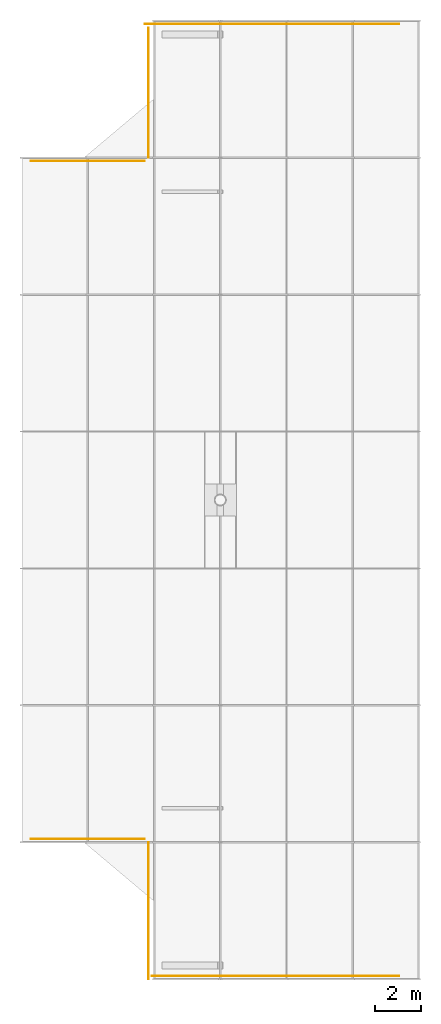
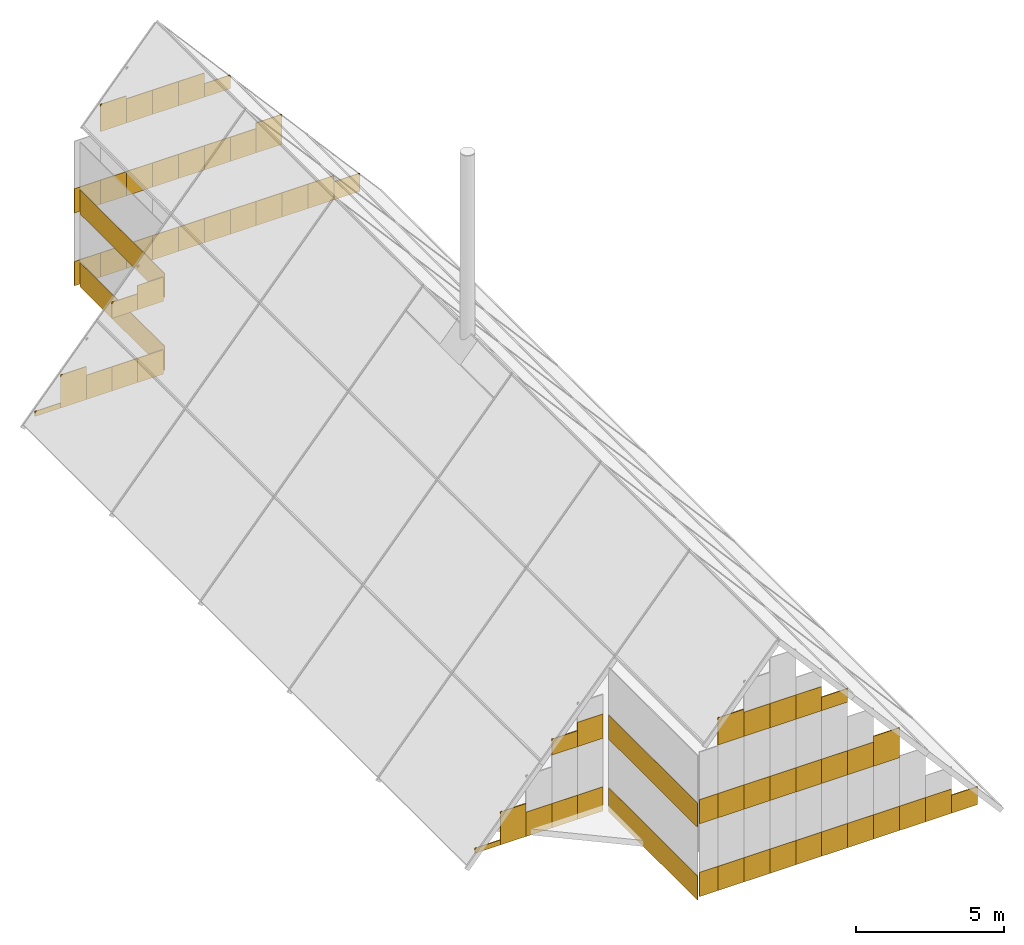
# One storey, part 5 of 5: 66 coverings.
"""IFC4 building model written with IfcOpenShell, lengths in metres."""

from ifc_helpers import new_model, si_unit, direction, frame, origin, origin_2d, place, context, subcontext, project, spatial, rectangle, extrude, source, transform, mapped, material, layer, layer_set, type_object, element, save


model = new_model("IFC4")

# Units and contexts
model_context = context("Model", 3, precision=1e-05, world=origin(), true_north=direction((0.0, 1.0)))
body_context = subcontext(model_context, "Body", "Model", "MODEL_VIEW")
ifc_project = project(units=[si_unit("LENGTHUNIT", "METRE"), si_unit("AREAUNIT", "SQUARE_METRE"), si_unit("VOLUMEUNIT", "CUBIC_METRE"), si_unit("PLANEANGLEUNIT", "RADIAN"), si_unit("MASSUNIT", "GRAM", prefix="KILO")], contexts=[model_context])

# Site, building, storey
site_placement = place(None, origin())
site = spatial("IfcSite", under=ifc_project, at=site_placement, CompositionType="ELEMENT")
building_placement = place(site_placement, origin())
building = spatial("IfcBuilding", under=site, at=building_placement, Name="Khomas Fold Tower", CompositionType="ELEMENT")
storey_placement = place(building_placement, frame((0.0, 0.0, 357.199951171875)))
storey = spatial("IfcBuildingStorey", under=building, at=storey_placement, Name="ROOF", CompositionType="ELEMENT", Elevation=357.199951171875)

# Coverings
ifc_material = material(Name="Natural stone cladding", Category="masonry")
ifc_layer = layer(ifc_material, 0.031982421875)
ifc_layer_set = layer_set([ifc_layer], Name="Natural stone cladding")
covering_type = type_object("IfcCoveringType", Name="Crown spandrel panel CR-SP", PredefinedType="CLADDING", material=ifc_layer_set)
shared_shape_1 = source(origin(), body_context, "Body", "SweptSolid", [
    extrude(rectangle(XDim=0.71240234375, YDim=0.031982421875, at=origin_2d()), origin(), (0.0, 0.0, 1.0), 1.0),
])
for number, where, z_axis, x_axis, name in (
    (1, (12.65625, 6.14990234375, 0.0), (0.0, 0.0, 1.0), (1.0, 0.0, 0.0), "Crown gable panel"),
    (2, (12.65625, 6.14990234375, 3.0), (0.0, 0.0, 1.0), (1.0, 0.0, 0.0), "Crown gable panel"),
):
    element("IfcCovering", number, at=place(storey_placement, frame(where, z_axis=z_axis, x_axis=x_axis)), inside=storey, type_object=covering_type, Name=name, PredefinedType="CLADDING", context=body_context, shape_type="MappedRepresentation", body=[
        mapped(shared_shape_1, transform((0.0, 0.0, 0.0))),
    ])
shared_shape_2 = source(origin(), body_context, "Body", "SweptSolid", [
    extrude(rectangle(XDim=1.012451171875, YDim=0.031982421875, at=origin_2d()), origin(), (0.0, 0.0, 1.0), 1.0),
])
for number, where, z_axis, x_axis, name in (
    (3, (13.5185546875, 6.14990234375, 0.0), (0.0, 0.0, 1.0), (1.0, 0.0, 0.0), "Crown gable panel"),
    (4, (13.5185546875, 6.14990234375, 3.0), (0.0, 0.0, 1.0), (1.0, 0.0, 0.0), "Crown gable panel"),
    (5, (14.531005859375, 6.14990234375, 0.0), (0.0, 0.0, 1.0), (1.0, 0.0, 0.0), "Crown gable panel"),
    (6, (14.531005859375, 6.14990234375, 3.0), (0.0, 0.0, 1.0), (1.0, 0.0, 0.0), "Crown gable panel"),
    (7, (14.531005859375, 6.14990234375, 6.0), (0.0, 0.0, 1.0), (1.0, 0.0, 0.0), "Crown gable panel"),
    (8, (15.54345703125, 6.14990234375, 0.0), (0.0, 0.0, 1.0), (1.0, 0.0, 0.0), "Crown gable panel"),
    (9, (15.54345703125, 6.14990234375, 3.0), (0.0, 0.0, 1.0), (1.0, 0.0, 0.0), "Crown gable panel"),
    (10, (15.54345703125, 6.14990234375, 6.0), (0.0, 0.0, 1.0), (1.0, 0.0, 0.0), "Crown gable panel"),
    (11, (16.555908203125, 6.14990234375, 0.0), (0.0, 0.0, 1.0), (1.0, 0.0, 0.0), "Crown gable panel"),
    (12, (16.555908203125, 6.14990234375, 3.0), (0.0, 0.0, 1.0), (1.0, 0.0, 0.0), "Crown gable panel"),
    (13, (16.555908203125, 6.14990234375, 6.0), (0.0, 0.0, 1.0), (1.0, 0.0, 0.0), "Crown gable panel"),
    (14, (17.568359375, 6.14990234375, 0.0), (0.0, 0.0, 1.0), (1.0, 0.0, 0.0), "Crown gable panel"),
    (15, (17.568359375, 6.14990234375, 3.0), (0.0, 0.0, 1.0), (1.0, 0.0, 0.0), "Crown gable panel"),
    (16, (18.58056640625, 6.14990234375, 0.0), (0.0, 0.0, 1.0), (1.0, 0.0, 0.0), "Crown gable panel"),
    (17, (18.58056640625, 6.14990234375, 3.0), (0.0, 0.0, 1.0), (1.0, 0.0, 0.0), "Crown gable panel"),
    (18, (19.593017578125, 6.14990234375, 0.0), (0.0, 0.0, 1.0), (1.0, 0.0, 0.0), "Crown gable panel"),
    (19, (20.60546875, 6.14990234375, 0.0), (0.0, 0.0, 1.0), (1.0, 0.0, 0.0), "Crown gable panel"),
    (20, (21.617919921875, 6.14990234375, 0.0), (0.0, 0.0, 1.0), (1.0, 0.0, 0.0), "Crown gable panel"),
    (21, (21.617919921875, 47.85009765625, 0.0), (0.0, 0.0, 1.0), (-1.0, 0.0, 0.0), "Crown gable panel"),
    (22, (20.60546875, 47.85009765625, 0.0), (0.0, 0.0, 1.0), (-1.0, 0.0, 0.0), "Crown gable panel"),
    (23, (19.593017578125, 47.85009765625, 0.0), (0.0, 0.0, 1.0), (-1.0, 0.0, 0.0), "Crown gable panel"),
    (24, (18.58056640625, 47.85009765625, 0.0), (0.0, 0.0, 1.0), (-1.0, 0.0, 0.0), "Crown gable panel"),
    (25, (18.58056640625, 47.85009765625, 3.0), (0.0, 0.0, 1.0), (-1.0, 0.0, 0.0), "Crown gable panel"),
    (26, (17.568359375, 47.85009765625, 0.0), (0.0, 0.0, 1.0), (-1.0, 0.0, 0.0), "Crown gable panel"),
    (27, (17.568359375, 47.85009765625, 3.0), (0.0, 0.0, 1.0), (-1.0, 0.0, 0.0), "Crown gable panel"),
    (28, (16.555908203125, 47.85009765625, 0.0), (0.0, 0.0, 1.0), (-1.0, 0.0, 0.0), "Crown gable panel"),
    (29, (16.555908203125, 47.85009765625, 3.0), (0.0, 0.0, 1.0), (-1.0, 0.0, 0.0), "Crown gable panel"),
    (30, (16.555908203125, 47.85009765625, 6.0), (0.0, 0.0, 1.0), (-1.0, 0.0, 0.0), "Crown gable panel"),
    (31, (15.54345703125, 47.85009765625, 0.0), (0.0, 0.0, 1.0), (-1.0, 0.0, 0.0), "Crown gable panel"),
    (32, (15.54345703125, 47.85009765625, 3.0), (0.0, 0.0, 1.0), (-1.0, 0.0, 0.0), "Crown gable panel"),
    (33, (15.54345703125, 47.85009765625, 6.0), (0.0, 0.0, 1.0), (-1.0, 0.0, 0.0), "Crown gable panel"),
    (34, (14.531005859375, 47.85009765625, 0.0), (0.0, 0.0, 1.0), (-1.0, 0.0, 0.0), "Crown gable panel"),
    (35, (14.531005859375, 47.85009765625, 3.0), (0.0, 0.0, 1.0), (-1.0, 0.0, 0.0), "Crown gable panel"),
    (36, (14.531005859375, 47.85009765625, 6.0), (0.0, 0.0, 1.0), (-1.0, 0.0, 0.0), "Crown gable panel"),
    (37, (13.5185546875, 47.85009765625, 0.0), (0.0, 0.0, 1.0), (-1.0, 0.0, 0.0), "Crown gable panel"),
    (38, (13.5185546875, 47.85009765625, 3.0), (0.0, 0.0, 1.0), (-1.0, 0.0, 0.0), "Crown gable panel"),
    (39, (12.506103515625, 47.85009765625, 0.0), (0.0, 0.0, 1.0), (-1.0, 0.0, 0.0), "Crown gable panel"),
    (40, (12.506103515625, 47.85009765625, 3.0), (0.0, 0.0, 1.0), (-1.0, 0.0, 0.0), "Crown gable panel"),
):
    element("IfcCovering", number, at=place(storey_placement, frame(where, z_axis=z_axis, x_axis=x_axis)), inside=storey, type_object=covering_type, Name=name, PredefinedType="CLADDING", context=body_context, shape_type="MappedRepresentation", body=[
        mapped(shared_shape_2, transform((0.0, 0.0, 0.0))),
    ])
shared_shape_3 = source(origin(), body_context, "Body", "SweptSolid", [
    extrude(rectangle(XDim=1.012451171875, YDim=0.031982421875, at=origin_2d()), origin(), (0.0, 0.0, 1.0), 1.12060546875),
])
for number, where, z_axis, x_axis, name in (
    (41, (13.5185546875, 6.14990234375, 6.0), (0.0, 0.0, 1.0), (1.0, 0.0, 0.0), "Crown gable panel"),
    (42, (13.5185546875, 47.85009765625, 6.0), (0.0, 0.0, 1.0), (-1.0, 0.0, 0.0), "Crown gable panel"),
):
    element("IfcCovering", number, at=place(storey_placement, frame(where, z_axis=z_axis, x_axis=x_axis)), inside=storey, type_object=covering_type, Name=name, PredefinedType="CLADDING", context=body_context, shape_type="MappedRepresentation", body=[
        mapped(shared_shape_3, transform((0.0, 0.0, 0.0))),
    ])
shared_shape_4 = source(origin(), body_context, "Body", "SweptSolid", [
    extrude(rectangle(XDim=1.012451171875, YDim=0.031982421875, at=origin_2d()), origin(), (0.0, 0.0, 1.0), 0.56103515625),
])
for number, where, z_axis, x_axis, name in (
    (43, (17.568359375, 6.14990234375, 6.0), (0.0, 0.0, 1.0), (1.0, 0.0, 0.0), "Crown gable panel"),
    (44, (17.568359375, 47.85009765625, 6.0), (0.0, 0.0, 1.0), (-1.0, 0.0, 0.0), "Crown gable panel"),
):
    element("IfcCovering", number, at=place(storey_placement, frame(where, z_axis=z_axis, x_axis=x_axis)), inside=storey, type_object=covering_type, Name=name, PredefinedType="CLADDING", context=body_context, shape_type="MappedRepresentation", body=[
        mapped(shared_shape_4, transform((0.0, 0.0, 0.0))),
    ])
shared_shape_5 = source(origin(), body_context, "Body", "SweptSolid", [
    extrude(rectangle(XDim=1.012451171875, YDim=0.031982421875, at=origin_2d()), origin(), (0.0, 0.0, 1.0), 1.233642578125),
])
for number, where, z_axis, x_axis, name in (
    (45, (19.593017578125, 6.14990234375, 3.0), (0.0, 0.0, 1.0), (1.0, 0.0, 0.0), "Crown gable panel"),
    (46, (19.593017578125, 47.85009765625, 3.0), (0.0, 0.0, 1.0), (-1.0, 0.0, 0.0), "Crown gable panel"),
):
    element("IfcCovering", number, at=place(storey_placement, frame(where, z_axis=z_axis, x_axis=x_axis)), inside=storey, type_object=covering_type, Name=name, PredefinedType="CLADDING", context=body_context, shape_type="MappedRepresentation", body=[
        mapped(shared_shape_5, transform((0.0, 0.0, 0.0))),
    ])
shared_shape_6 = source(origin(), body_context, "Body", "SweptSolid", [
    extrude(rectangle(XDim=1.012451171875, YDim=0.031982421875, at=origin_2d()), origin(), (0.0, 0.0, 1.0), 0.74267578125),
])
for number, where, z_axis, x_axis, name in (
    (47, (22.63037109375, 6.14990234375, 0.0), (0.0, 0.0, 1.0), (1.0, 0.0, 0.0), "Crown gable panel"),
    (48, (22.63037109375, 47.85009765625, 0.0), (0.0, 0.0, 1.0), (-1.0, 0.0, 0.0), "Crown gable panel"),
):
    element("IfcCovering", number, at=place(storey_placement, frame(where, z_axis=z_axis, x_axis=x_axis)), inside=storey, type_object=covering_type, Name=name, PredefinedType="CLADDING", context=body_context, shape_type="MappedRepresentation", body=[
        mapped(shared_shape_6, transform((0.0, 0.0, 0.0))),
    ])
shared_shape_7 = source(origin(), body_context, "Body", "SweptSolid", [
    extrude(rectangle(XDim=5.699951171875, YDim=0.031982421875, at=origin_2d()), origin(), (0.0, 0.0, 1.0), 1.0),
])
for number, where, z_axis, x_axis, name in (
    (49, (12.14990234375, 44.85009765625, 0.0), (0.0, 0.0, 1.0), (0.0, -1.0, 0.0), "Crown gable panel"),
    (50, (12.14990234375, 44.85009765625, 3.0), (0.0, 0.0, 1.0), (0.0, -1.0, 0.0), "Crown gable panel"),
):
    element("IfcCovering", number, at=place(storey_placement, frame(where, z_axis=z_axis, x_axis=x_axis)), inside=storey, type_object=covering_type, Name=name, PredefinedType="CLADDING", context=body_context, shape_type="MappedRepresentation", body=[
        mapped(shared_shape_7, transform((0.0, 0.0, 0.0))),
    ])
shared_shape_8 = source(origin(), body_context, "Body", "SweptSolid", [
    extrude(rectangle(XDim=1.0, YDim=0.031982421875, at=origin_2d()), origin(), (0.0, 0.0, 1.0), 1.0),
])
for number, where, z_axis, x_axis, name in (
    (51, (11.5, 41.85009765625, 0.0), (0.0, 0.0, 1.0), (-1.0, 0.0, 0.0), "Crown gable panel"),
    (52, (11.5, 41.85009765625, 3.0), (0.0, 0.0, 1.0), (-1.0, 0.0, 0.0), "Crown gable panel"),
    (53, (10.5, 41.85009765625, 0.0), (0.0, 0.0, 1.0), (-1.0, 0.0, 0.0), "Crown gable panel"),
    (54, (9.5, 41.85009765625, 0.0), (0.0, 0.0, 1.0), (-1.0, 0.0, 0.0), "Crown gable panel"),
    (55, (9.5, 12.14990234375, 0.0), (0.0, 0.0, 1.0), (1.0, 0.0, 0.0), "Crown gable panel"),
    (56, (10.5, 12.14990234375, 0.0), (0.0, 0.0, 1.0), (1.0, 0.0, 0.0), "Crown gable panel"),
    (57, (11.5, 12.14990234375, 0.0), (0.0, 0.0, 1.0), (1.0, 0.0, 0.0), "Crown gable panel"),
    (58, (11.5, 12.14990234375, 3.0), (0.0, 0.0, 1.0), (1.0, 0.0, 0.0), "Crown gable panel"),
):
    element("IfcCovering", number, at=place(storey_placement, frame(where, z_axis=z_axis, x_axis=x_axis)), inside=storey, type_object=covering_type, Name=name, PredefinedType="CLADDING", context=body_context, shape_type="MappedRepresentation", body=[
        mapped(shared_shape_8, transform((0.0, 0.0, 0.0))),
    ])
shared_shape_9 = source(origin(), body_context, "Body", "SweptSolid", [
    extrude(rectangle(XDim=1.0, YDim=0.031982421875, at=origin_2d()), origin(), (0.0, 0.0, 1.0), 0.657958984375),
])
for number, where, z_axis, x_axis, name in (
    (59, (10.5, 41.85009765625, 3.0), (0.0, 0.0, 1.0), (-1.0, 0.0, 0.0), "Crown gable panel"),
    (60, (10.5, 12.14990234375, 3.0), (0.0, 0.0, 1.0), (1.0, 0.0, 0.0), "Crown gable panel"),
):
    element("IfcCovering", number, at=place(storey_placement, frame(where, z_axis=z_axis, x_axis=x_axis)), inside=storey, type_object=covering_type, Name=name, PredefinedType="CLADDING", context=body_context, shape_type="MappedRepresentation", body=[
        mapped(shared_shape_9, transform((0.0, 0.0, 0.0))),
    ])
shared_shape_10 = source(origin(), body_context, "Body", "SweptSolid", [
    extrude(rectangle(XDim=1.0, YDim=0.031982421875, at=origin_2d()), origin(), (0.0, 0.0, 1.0), 1.359130859375),
])
for number, where, z_axis, x_axis, name in (
    (61, (8.5, 41.85009765625, 0.0), (0.0, 0.0, 1.0), (-1.0, 0.0, 0.0), "Crown gable panel"),
    (62, (8.5, 12.14990234375, 0.0), (0.0, 0.0, 1.0), (1.0, 0.0, 0.0), "Crown gable panel"),
):
    element("IfcCovering", number, at=place(storey_placement, frame(where, z_axis=z_axis, x_axis=x_axis)), inside=storey, type_object=covering_type, Name=name, PredefinedType="CLADDING", context=body_context, shape_type="MappedRepresentation", body=[
        mapped(shared_shape_10, transform((0.0, 0.0, 0.0))),
    ])
shared_shape_11 = source(origin(), body_context, "Body", "SweptSolid", [
    extrude(rectangle(XDim=1.0, YDim=0.031982421875, at=origin_2d()), origin(), (0.0, 0.0, 1.0), 0.209716796875),
])
for number, where, z_axis, x_axis, name in (
    (63, (7.5, 41.85009765625, 0.0), (0.0, 0.0, 1.0), (-1.0, 0.0, 0.0), "Crown gable panel"),
    (64, (7.5, 12.14990234375, 0.0), (0.0, 0.0, 1.0), (1.0, 0.0, 0.0), "Crown gable panel"),
):
    element("IfcCovering", number, at=place(storey_placement, frame(where, z_axis=z_axis, x_axis=x_axis)), inside=storey, type_object=covering_type, Name=name, PredefinedType="CLADDING", context=body_context, shape_type="MappedRepresentation", body=[
        mapped(shared_shape_11, transform((0.0, 0.0, 0.0))),
    ])
shared_shape_12 = source(origin(), body_context, "Body", "SweptSolid", [
    extrude(rectangle(XDim=6.0, YDim=0.031982421875, at=origin_2d()), origin(), (0.0, 0.0, 1.0), 1.0),
])
for number, where, z_axis, x_axis, name in (
    (65, (12.14990234375, 9.0, 0.0), (0.0, 0.0, 1.0), (0.0, -1.0, 0.0), "Crown gable panel"),
    (66, (12.14990234375, 9.0, 3.0), (0.0, 0.0, 1.0), (0.0, -1.0, 0.0), "Crown gable panel"),
):
    element("IfcCovering", number, at=place(storey_placement, frame(where, z_axis=z_axis, x_axis=x_axis)), inside=storey, type_object=covering_type, Name=name, PredefinedType="CLADDING", context=body_context, shape_type="MappedRepresentation", body=[
        mapped(shared_shape_12, transform((0.0, 0.0, 0.0))),
    ])

save(model, "model.ifc")
